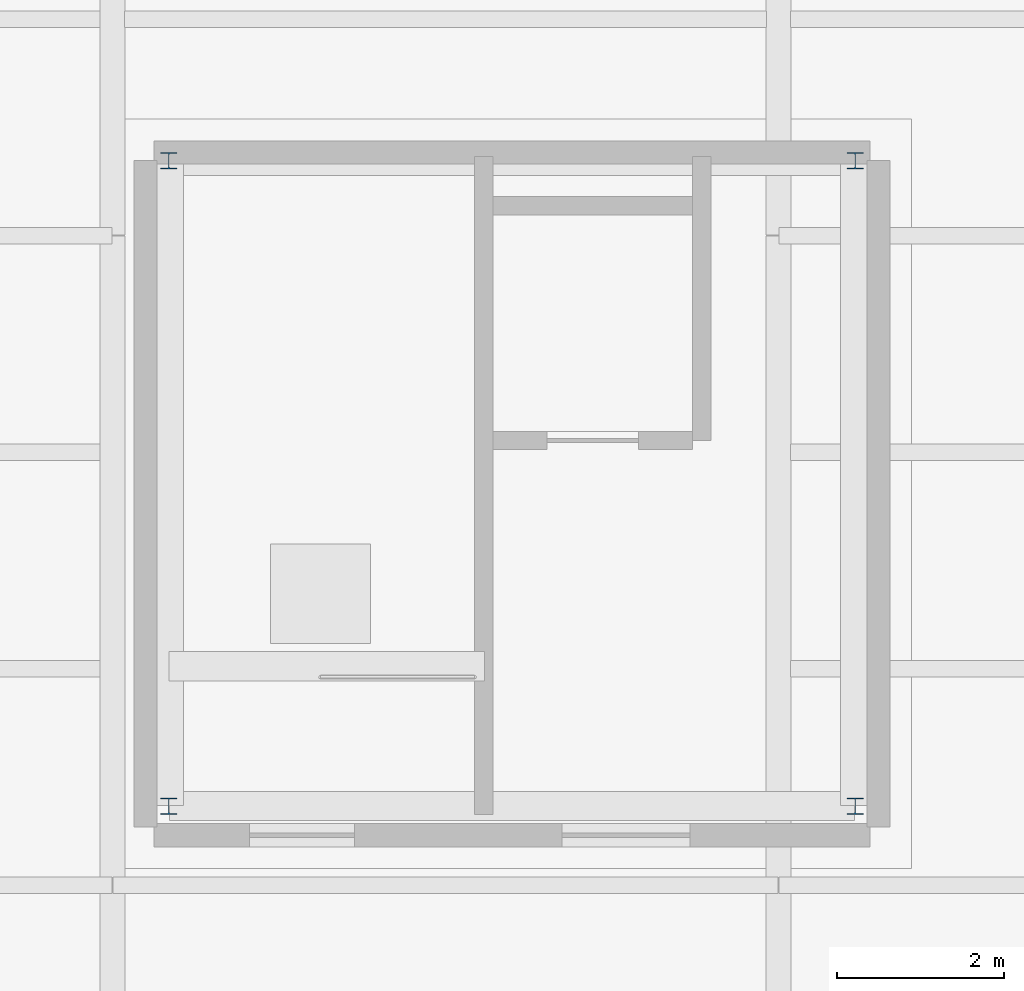
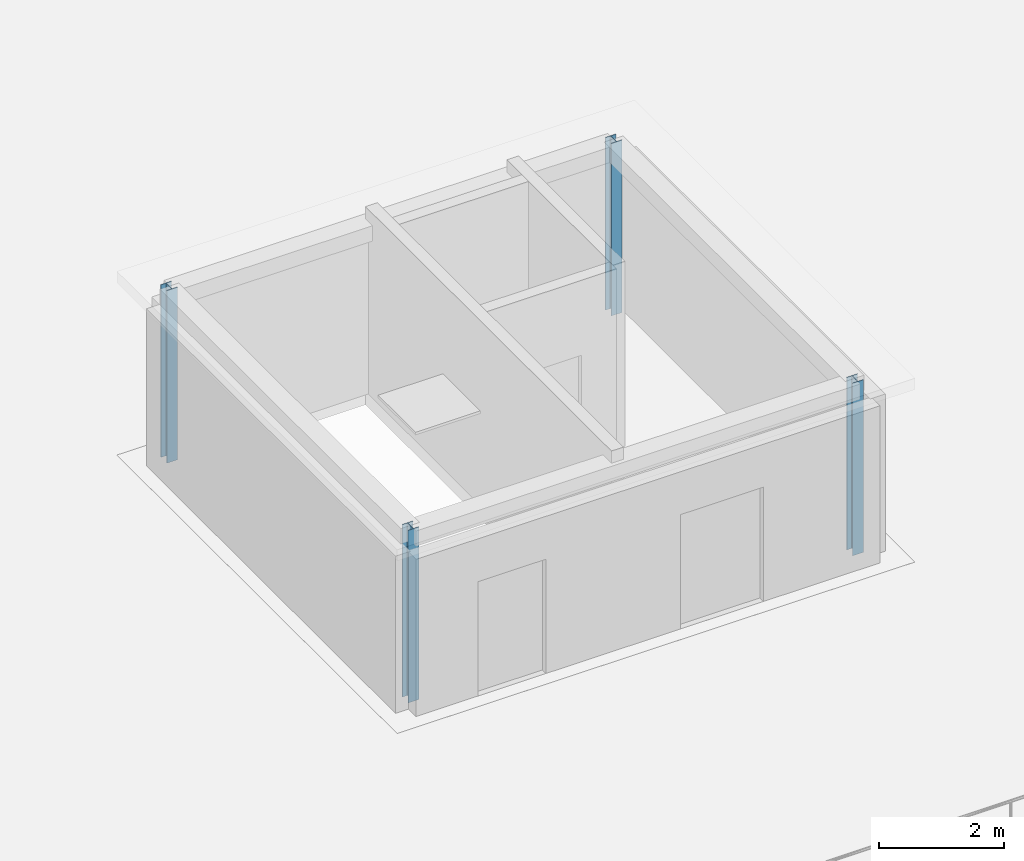
# One storey, part 1 of 77: 4 columns.
"""IFC4 building model written with IfcOpenShell, lengths in metres."""

import ifcopenshell
import ifcopenshell.guid

model = None  # the IFC model being written
_history = None  # IfcOwnerHistory: only IFC2X3 demands one
_inside = {}  # id of a spatial element -> (the spatial element, [elements in it])
_under = {}  # id of a project, library or spatial element -> (it, [spatial elements below it])
_declared = {}  # id of a project -> (the project, [libraries it declares])
_typed = {}  # id of a type object -> (the type object, [elements of that type])
_made_of = {}  # id of a material, layer set ... -> (it, [elements and type objects made of it])


def new_model(schema):
    """Start an empty IFC model of exactly this schema.

    Asked for "IFC4X3", IfcOpenShell would pick the latest addendum, in which some entities
    have other attributes; the version numbers below select the first issue.
    IFC2X3 requires an IfcOwnerHistory on every rooted entity: one is made here for all.
    """
    global model, _history
    if schema == "IFC4X3":
        model = ifcopenshell.file(schema_version=(4, 3, 0, 0))
    else:
        model = ifcopenshell.file(schema=schema)
    _inside.clear()
    _under.clear()
    _declared.clear()
    _typed.clear()
    _made_of.clear()
    _history = None
    if model.schema == "IFC2X3":
        org = make("IfcOrganization", Name="unknown")
        user = make(
            "IfcPersonAndOrganization",
            ThePerson=make("IfcPerson", FamilyName="unknown"),
            TheOrganization=org,
        )
        app = make(
            "IfcApplication",
            ApplicationDeveloper=org,
            Version="unknown",
            ApplicationFullName="unknown",
            ApplicationIdentifier="unknown",
        )
        _history = make(
            "IfcOwnerHistory",
            OwningUser=user,
            OwningApplication=app,
            ChangeAction="ADDED",
            CreationDate=0,
        )
    return model


def make(cls, **values):
    """One entity of the class cls with the attributes given. An attribute that is None is left unset."""
    return model.create_entity(
        cls, **{name: value for name, value in values.items() if value is not None}
    )


def rooted(cls, **values):
    """An entity with a GlobalId (a new one), such as an element, a storey or a relation."""
    return make(cls, GlobalId=ifcopenshell.guid.new(), OwnerHistory=_history, **values)


def si_unit(unit_type, name, prefix=None):
    """IfcSIUnit, for example si_unit("LENGTHUNIT", "METRE", prefix="MILLI")."""
    return make("IfcSIUnit", UnitType=unit_type, Prefix=prefix, Name=name)


def assignment(units):
    """IfcUnitAssignment: the units of a project."""
    return None if units is None else make("IfcUnitAssignment", Units=units)


def point(xyz):
    """IfcCartesianPoint."""
    return None if xyz is None else make("IfcCartesianPoint", Coordinates=xyz)


def direction(xyz):
    """IfcDirection."""
    return None if xyz is None else make("IfcDirection", DirectionRatios=xyz)


def frame(location, z_axis=None, x_axis=None):
    """IfcAxis2Placement3D, a coordinate frame: its origin and axes. An axis left out is left unset."""
    return make(
        "IfcAxis2Placement3D",
        Location=point(location),
        Axis=direction(z_axis),
        RefDirection=direction(x_axis),
    )


def frame_2d(location, x_axis=None):
    """IfcAxis2Placement2D, a coordinate frame in the plane: its origin and x axis."""
    return make(
        "IfcAxis2Placement2D", Location=point(location), RefDirection=direction(x_axis)
    )


def origin():
    """The frame at (0, 0, 0) with its axes left unset."""
    return frame((0.0, 0.0, 0.0))


def origin_2d():
    """The frame at (0, 0) in the plane with its x axis left unset."""
    return frame_2d((0.0, 0.0))


def place(relative_to, where):
    """IfcLocalPlacement: puts the frame where relative to a parent placement (None: the world)."""
    return make(
        "IfcLocalPlacement", PlacementRelTo=relative_to, RelativePlacement=where
    )


def context(
    kind, dimensions, precision=None, world=None, true_north=None, identifier=None
):
    """IfcGeometricRepresentationContext, for example the 3D "Model" context."""
    return make(
        "IfcGeometricRepresentationContext",
        ContextIdentifier=identifier,
        ContextType=kind,
        CoordinateSpaceDimension=dimensions,
        Precision=precision,
        WorldCoordinateSystem=world,
        TrueNorth=true_north,
    )


def subcontext(parent, identifier, kind, view, scale=None):
    """IfcGeometricRepresentationSubContext, for example "Body" below "Model"."""
    return make(
        "IfcGeometricRepresentationSubContext",
        ContextIdentifier=identifier,
        ContextType=kind,
        ParentContext=parent,
        TargetScale=scale,
        TargetView=view,
    )


def project(units=None, contexts=None):
    """IfcProject with its units and contexts."""
    return rooted(
        "IfcProject",
        Name="project",
        RepresentationContexts=contexts,
        UnitsInContext=assignment(units),
    )


def spatial(cls, under=None, at=None, **own):
    """A site, building, storey or space (cls), placed at a placement, below another one or the project."""
    s = rooted(cls, ObjectPlacement=at, **own)
    if under is not None:
        _under.setdefault(under.id(), (under, []))[1].append(s)
    return s


def profile(cls, at=None, kind="AREA", **sizes):
    """A parametric profile (cls). Its sizes go by their IFC names, for example OverallWidth=200.0."""
    return make(cls, ProfileType=kind, Position=at, **sizes)


def i_section(**sizes):
    """IfcIShapeProfileDef."""
    return profile("IfcIShapeProfileDef", **sizes)


def extrude(swept, where, along, depth):
    """IfcExtrudedAreaSolid: the profile swept, set in the frame where, extruded along a direction by depth."""
    return make(
        "IfcExtrudedAreaSolid",
        SweptArea=swept,
        Position=where,
        ExtrudedDirection=direction(along),
        Depth=depth,
    )


def shape(context_of_items, identifier, shape_type, items):
    """IfcShapeRepresentation: the items that make up one representation, for example the "Body"."""
    return make(
        "IfcShapeRepresentation",
        ContextOfItems=context_of_items,
        RepresentationIdentifier=identifier,
        RepresentationType=shape_type,
        Items=items,
    )


def material(Name=None, Category=None):
    """IfcMaterial."""
    return make("IfcMaterial", Name=Name, Category=Category)


def material_profile(
    of_material, cross_section, Name=None, Category=None, Priority=None
):
    """IfcMaterialProfile: a cross section and its material."""
    return make(
        "IfcMaterialProfile",
        Name=Name,
        Material=of_material,
        Profile=cross_section,
        Priority=Priority,
        Category=Category,
    )


def profile_set(profiles, Name=None, composite=None):
    """IfcMaterialProfileSet."""
    return make(
        "IfcMaterialProfileSet",
        Name=Name,
        MaterialProfiles=profiles,
        CompositeProfile=composite,
    )


def made_of(thing, what):
    """Note that an element or type object is made of a material, layer set ...; save() writes the relation."""
    if what is not None:
        _made_of.setdefault(what.id(), (what, []))[1].append(thing)
    return thing


def type_object(cls, material=None, **own):
    """A type object (cls), such as IfcWallType, which elements share."""
    return made_of(rooted(cls, **own), material)


def element(
    cls,
    number,
    at=None,
    inside=None,
    cuts=None,
    type_object=None,
    material=None,
    context=None,
    identifier="Body",
    shape_type=None,
    held_by="IfcProductDefinitionShape",
    body=None,
    shapes=None,
    **own,
):
    """One element of the class cls, such as IfcWall. Its Tag is "e" and its number.

    at: its placement. inside: the storey or other place that contains it. cuts: it is an
    opening in that element (IfcRelVoidsElement). A single representation is given by context,
    identifier, shape_type and body (its items); several are given by shapes. held_by: the class
    of the entity that holds the representations. save() writes the other relations.
    """
    e = rooted(cls, Tag="e%d" % number, ObjectPlacement=at, **own)
    if body is not None:
        shapes = [shape(context, identifier, shape_type, body)]
    if shapes is not None:
        e.Representation = make(held_by, Representations=shapes)
    if inside is not None:
        _inside.setdefault(inside.id(), (inside, []))[1].append(e)
    if cuts is not None:
        rooted(
            "IfcRelVoidsElement", RelatingBuildingElement=cuts, RelatedOpeningElement=e
        )
    if type_object is not None:
        _typed.setdefault(type_object.id(), (type_object, []))[1].append(e)
    return made_of(e, material)


def aggregate(whole, parts):
    """IfcRelAggregates: a whole, such as a stair, and the parts it consists of."""
    return rooted("IfcRelAggregates", RelatingObject=whole, RelatedObjects=parts)


def save(model, path):
    """Write the relations noted so far, then the file.

    IfcRelAggregates (storeys below a building ...), IfcRelContainedInSpatialStructure (elements
    in a storey), IfcRelDefinesByType, IfcRelAssociatesMaterial and IfcRelDeclares: one each for
    every whole, place, type object, material and project.
    """
    for whole, parts in _under.values():
        aggregate(whole, parts)
    for where, things in _inside.values():
        rooted(
            "IfcRelContainedInSpatialStructure",
            RelatedElements=things,
            RelatingStructure=where,
        )
    for kind, things in _typed.values():
        rooted("IfcRelDefinesByType", RelatedObjects=things, RelatingType=kind)
    for what, things in _made_of.values():
        rooted("IfcRelAssociatesMaterial", RelatedObjects=things, RelatingMaterial=what)
    for by, libraries in _declared.values():
        rooted("IfcRelDeclares", RelatingContext=by, RelatedDefinitions=libraries)
    model.write(path)


model = new_model("IFC4")

# Units and contexts
model_context = context("Model", 3, precision=1e-05, world=origin(), true_north=direction((0.0, 1.0)))
body_context = subcontext(model_context, "Body", "Model", "MODEL_VIEW")
ifc_project = project(units=[si_unit("LENGTHUNIT", "METRE"), si_unit("AREAUNIT", "SQUARE_METRE"), si_unit("VOLUMEUNIT", "CUBIC_METRE"), si_unit("PLANEANGLEUNIT", "RADIAN"), si_unit("MASSUNIT", "GRAM", prefix="KILO")], contexts=[model_context])

# Site, building, storey
site_placement = place(None, origin())
site = spatial("IfcSite", under=ifc_project, at=site_placement, CompositionType="ELEMENT")
building_placement = place(site_placement, origin())
building = spatial("IfcBuilding", under=site, at=building_placement, Name="Yukiwa Park Conservatory and Herbarium", CompositionType="ELEMENT")
storey_placement = place(building_placement, frame((0.0, 0.0, 13.199951171875)))
storey = spatial("IfcBuildingStorey", under=building, at=storey_placement, Name="L03", CompositionType="ELEMENT", Elevation=13.199951171875)

# Columns
ifc_material = material(Name="Steel Q355D", Category="steel")
ifc_material_profile = material_profile(ifc_material, i_section(OverallWidth=0.199951171875, OverallDepth=0.199951171875, WebThickness=0.008056640625, FlangeThickness=0.011962890625, FilletRadius=0.012939453125, at=origin_2d()), Name="HW 200x200x8x12")
ifc_profile_set = profile_set([ifc_material_profile], Name="Steel Q355D")
column_type = type_object("IfcColumnType", Name="COL-RF-HW200-EXT", PredefinedType="COLUMN", material=ifc_profile_set)
for number, where, z_axis, x_axis, name in (
    (1, (76.679931640625, 55.550048828125, 0.0), (0.0, 0.0, 1.0), (1.0, 0.0, 0.0), "Visitor rooftop pavilion post 1"),
    (2, (84.919921875, 55.550048828125, 0.0), (0.0, 0.0, 1.0), (1.0, 0.0, 0.0), "Visitor rooftop pavilion post 2"),
    (3, (84.919921875, 63.300048828125, 0.0), (0.0, 0.0, 1.0), (1.0, 0.0, 0.0), "Visitor rooftop pavilion post 3"),
    (4, (76.679931640625, 63.300048828125, 0.0), (0.0, 0.0, 1.0), (1.0, 0.0, 0.0), "Visitor rooftop pavilion post 4"),
):
    element("IfcColumn", number, at=place(storey_placement, frame(where, z_axis=z_axis, x_axis=x_axis)), inside=storey, type_object=column_type, Name=name, PredefinedType="COLUMN", context=body_context, shape_type="SweptSolid", body=[
        extrude(i_section(OverallWidth=0.199951171875, OverallDepth=0.199951171875, WebThickness=0.008056640625, FlangeThickness=0.011962890625, FilletRadius=0.012939453125, at=origin_2d()), origin(), (0.0, 0.0, 1.0), 3.380126953125),
    ])

save(model, "model.ifc")
